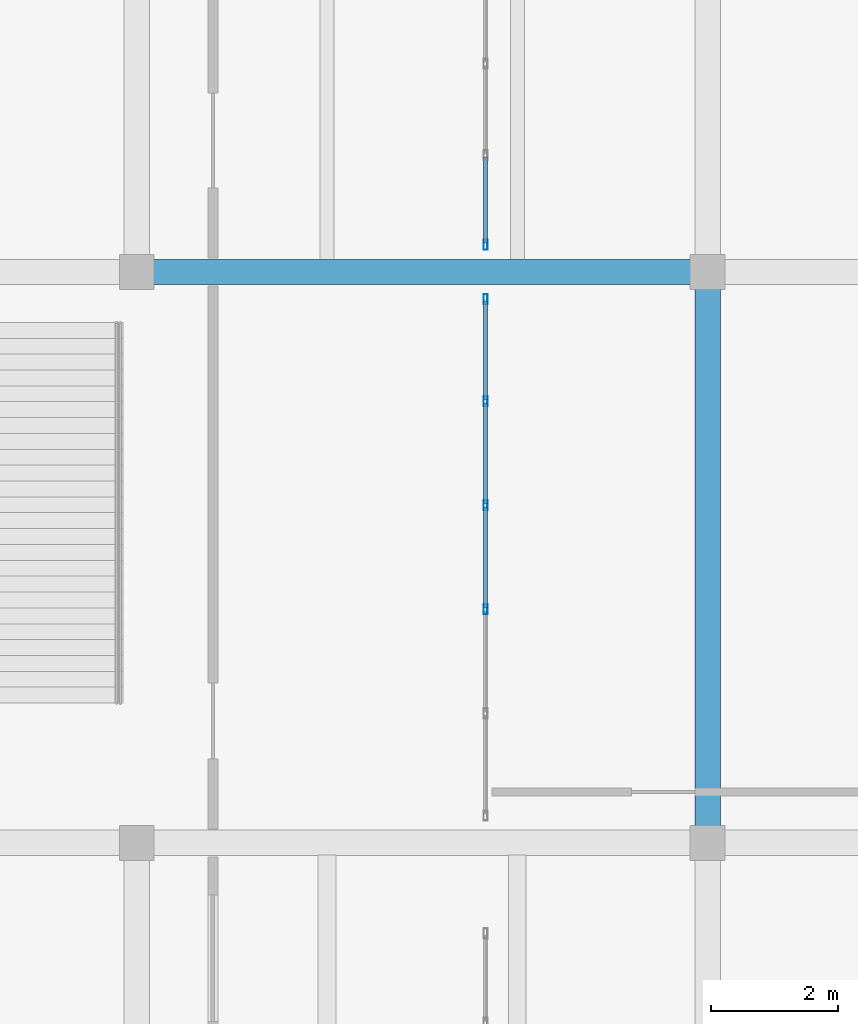
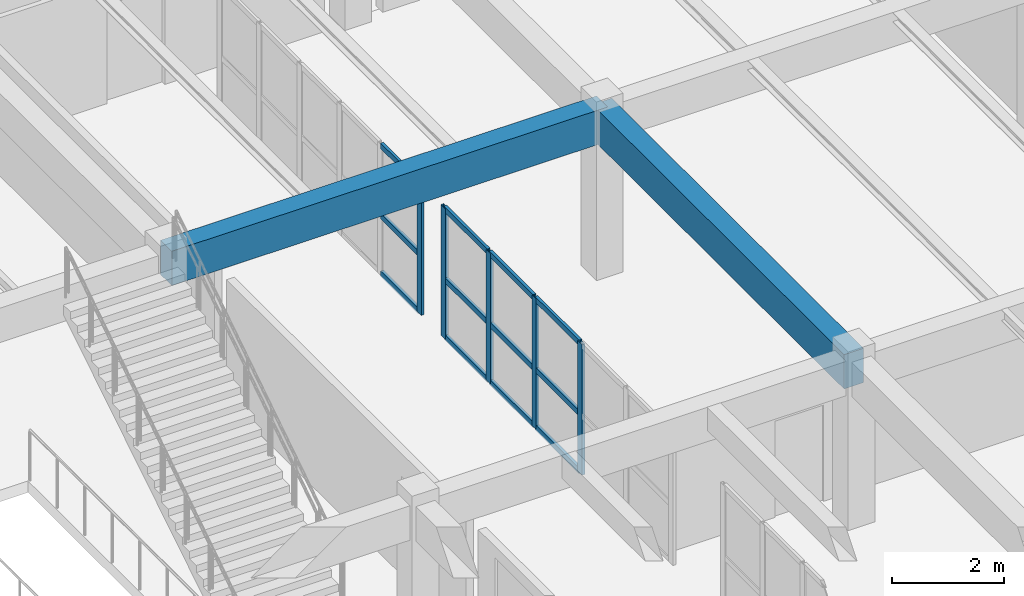
# One storey, part 87 of 156: 17 members, 2 beams, 2 elements without a shape of their own.
"""IFC4 building model written with IfcOpenShell, lengths in metres."""

from ifc_helpers import new_model, si_unit, direction, frame, origin, origin_2d, place, context, subcontext, project, spatial, rectangle, hollow_rectangle, extrude, material, layer, layer_set, material_profile, profile_set, type_object, element, aggregate, save


model = new_model("IFC4")

# Units and contexts
model_context = context("Model", 3, precision=1e-05, world=origin(), true_north=direction((0.0, 1.0)))
body_context = subcontext(model_context, "Body", "Model", "MODEL_VIEW")
ifc_project = project(units=[si_unit("LENGTHUNIT", "METRE"), si_unit("AREAUNIT", "SQUARE_METRE"), si_unit("VOLUMEUNIT", "CUBIC_METRE"), si_unit("PLANEANGLEUNIT", "RADIAN"), si_unit("MASSUNIT", "GRAM", prefix="KILO")], contexts=[model_context])

# Site, building, storey
site_placement = place(None, origin())
site = spatial("IfcSite", under=ifc_project, at=site_placement, CompositionType="ELEMENT")
building_placement = place(site_placement, origin())
building = spatial("IfcBuilding", under=site, at=building_placement, Name="Ornek Quay Market", CompositionType="ELEMENT")
storey_placement = place(building_placement, frame((0.0, 0.0, 4.5)))
storey = spatial("IfcBuildingStorey", under=building, at=storey_placement, Name="L01", CompositionType="ELEMENT", Elevation=4.5)

# Beams
ifc_material_1 = material(Name="Concrete C35/45", Category="concrete")
ifc_material_profile_1 = material_profile(ifc_material_1, rectangle(XDim=0.39990234375, YDim=0.75, at=origin_2d()), Name="RC 400x750", Category="concrete")
ifc_profile_set_1 = profile_set([ifc_material_profile_1], Name="Concrete C35/45")
beam_type = type_object("IfcBeamType", Name="BM-CS-400x750", PredefinedType="BEAM", material=ifc_profile_set_1)
for number, where, z_axis, x_axis, name in (
    (1, (162.0, 56.0, 3.27490234375), (1.0, 0.0, 0.0), (0.0, 1.0, 0.0), "Primary beam B-CS1-041"),
    (2, (171.0, 47.0, 3.27490234375), (0.0, 1.0, 0.0), (-1.0, 0.0, 0.0), "Primary beam B-CS1-052"),
):
    element("IfcBeam", number, at=place(storey_placement, frame(where, z_axis=z_axis, x_axis=x_axis)), inside=storey, type_object=beam_type, Name=name, PredefinedType="BEAM", context=body_context, shape_type="SweptSolid", body=[
        extrude(rectangle(XDim=0.39990234375, YDim=0.75, at=origin_2d()), origin(), (0.0, 0.0, 1.0), 9.0),
    ])

# Curtain wall, members
ifc_material_2 = material(Name="Anodised bronze aluminium and triple low-e glass", Category="aluminium")
ifc_layer = layer(ifc_material_2, 0.139892578125, Name="Anodised bronze aluminium and triple low-e glass", Category="aluminium")
ifc_layer_set = layer_set([ifc_layer], Name="Anodised bronze aluminium and triple low-e glass")
curtain_wall_type = type_object("IfcCurtainWallType", Name="CW-GALLERY-INT", PredefinedType="USERDEFINED", material=ifc_layer_set)
curtain_wall_1_placement = place(storey_placement, origin())
curtain_wall_1 = element("IfcCurtainWall", 3, at=curtain_wall_1_placement, inside=storey, type_object=curtain_wall_type, Name="Curtain wall CW-165", ObjectType="CURTAIN WALL", PredefinedType="USERDEFINED")
ifc_material_3 = material(Name="Anodised aluminium 6063-T6", Category="aluminium")
ifc_material_profile_2 = material_profile(ifc_material_3, hollow_rectangle(XDim=0.06005859375, YDim=0.159912109375, WallThickness=0.00390625, at=origin_2d()), Name="CW-MUL-60x160", Category="aluminium")
ifc_profile_set_2 = profile_set([ifc_material_profile_2], Name="Anodised aluminium 6063-T6")
member_type_1 = type_object("IfcMemberType", Name="CW-MUL-60x160", PredefinedType="MULLION", material=ifc_profile_set_2)
member_1_placement = place(storey_placement, frame((167.5, 50.679931640625, 0.0), z_axis=(0.0, 0.0, 1.0), x_axis=(-1.0, 0.0, 0.0)))
member_1 = element("IfcMember", 4, at=member_1_placement, type_object=member_type_1, Name="CW-165 mullion 3", PredefinedType="MULLION", context=body_context, shape_type="SweptSolid", body=[
    extrude(hollow_rectangle(XDim=0.06005859375, YDim=0.159912109375, WallThickness=0.00390625, at=origin_2d()), origin(), (0.0, 0.0, 1.0), 2.85009765625),
])
member_2_placement = place(storey_placement, frame((167.5, 52.320068359375, 0.0), z_axis=(0.0, 0.0, 1.0), x_axis=(-1.0, 0.0, 0.0)))
member_2 = element("IfcMember", 5, at=member_2_placement, type_object=member_type_1, Name="CW-165 mullion 4", PredefinedType="MULLION", context=body_context, shape_type="SweptSolid", body=[
    extrude(hollow_rectangle(XDim=0.06005859375, YDim=0.159912109375, WallThickness=0.00390625, at=origin_2d()), origin(), (0.0, 0.0, 1.0), 2.85009765625),
])
member_3_placement = place(storey_placement, frame((167.5, 53.9599609375, 0.0), z_axis=(0.0, 0.0, 1.0), x_axis=(-1.0, 0.0, 0.0)))
member_3 = element("IfcMember", 6, at=member_3_placement, type_object=member_type_1, Name="CW-165 mullion 5", PredefinedType="MULLION", context=body_context, shape_type="SweptSolid", body=[
    extrude(hollow_rectangle(XDim=0.06005859375, YDim=0.159912109375, WallThickness=0.00390625, at=origin_2d()), origin(), (0.0, 0.0, 1.0), 2.85009765625),
])
member_4_placement = place(storey_placement, frame((167.5, 55.570068359375, 0.0), z_axis=(0.0, 0.0, 1.0), x_axis=(-1.0, 0.0, 0.0)))
member_4 = element("IfcMember", 7, at=member_4_placement, type_object=member_type_1, Name="CW-165 mullion 6", PredefinedType="MULLION", context=body_context, shape_type="SweptSolid", body=[
    extrude(hollow_rectangle(XDim=0.06005859375, YDim=0.159912109375, WallThickness=0.00390625, at=origin_2d()), origin(), (0.0, 0.0, 1.0), 2.85009765625),
])

# Curtain wall, member
curtain_wall_2_placement = place(storey_placement, origin())
curtain_wall_2 = element("IfcCurtainWall", 8, at=curtain_wall_2_placement, inside=storey, type_object=curtain_wall_type, Name="Curtain wall CW-166", ObjectType="CURTAIN WALL", PredefinedType="USERDEFINED")
member_5_placement = place(storey_placement, frame((167.5, 56.429931640625, 0.0), z_axis=(0.0, 0.0, 1.0), x_axis=(-1.0, 0.0, 0.0)))
member_5 = element("IfcMember", 9, at=member_5_placement, type_object=member_type_1, Name="CW-166 mullion 1", PredefinedType="MULLION", context=body_context, shape_type="SweptSolid", body=[
    extrude(hollow_rectangle(XDim=0.06005859375, YDim=0.159912109375, WallThickness=0.00390625, at=origin_2d()), origin(), (0.0, 0.0, 1.0), 2.85009765625),
])

# Member
ifc_material_profile_3 = material_profile(ifc_material_3, hollow_rectangle(XDim=0.06005859375, YDim=0.1201171875, WallThickness=0.00390625, at=origin_2d()), Name="CW-TRN-60x120", Category="aluminium")
ifc_profile_set_3 = profile_set([ifc_material_profile_3], Name="Anodised aluminium 6063-T6")
member_type_2 = type_object("IfcMemberType", Name="CW-TRN-60x120", PredefinedType="USERDEFINED", material=ifc_profile_set_3)
member_6_placement = place(storey_placement, frame((167.5, 50.7099609375, 0.030029296875), z_axis=(0.0, 1.0, 0.0), x_axis=(-1.0, 0.0, 0.0)))
member_6 = element("IfcMember", 10, at=member_6_placement, type_object=member_type_2, Name="CW-165 transom 3.1", ObjectType="TRANSOM", PredefinedType="USERDEFINED", context=body_context, shape_type="SweptSolid", body=[
    extrude(hollow_rectangle(XDim=0.06005859375, YDim=0.1201171875, WallThickness=0.00390625, at=origin_2d()), origin(), (0.0, 0.0, 1.0), 1.580078125),
])

member_7_placement = place(storey_placement, frame((167.5, 50.7099609375, 1.282470703125), z_axis=(0.0, 1.0, 0.0), x_axis=(-1.0, 0.0, 0.0)))
member_7 = element("IfcMember", 11, at=member_7_placement, type_object=member_type_2, Name="CW-165 transom 3.2", ObjectType="TRANSOM", PredefinedType="USERDEFINED", context=body_context, shape_type="SweptSolid", body=[
    extrude(hollow_rectangle(XDim=0.06005859375, YDim=0.1201171875, WallThickness=0.00390625, at=origin_2d()), origin(), (0.0, 0.0, 1.0), 1.580078125),
])

member_8_placement = place(storey_placement, frame((167.5, 50.7099609375, 2.820068359375), z_axis=(0.0, 1.0, 0.0), x_axis=(-1.0, 0.0, 0.0)))
member_8 = element("IfcMember", 12, at=member_8_placement, type_object=member_type_2, Name="CW-165 transom 3.3", ObjectType="TRANSOM", PredefinedType="USERDEFINED", context=body_context, shape_type="SweptSolid", body=[
    extrude(hollow_rectangle(XDim=0.06005859375, YDim=0.1201171875, WallThickness=0.00390625, at=origin_2d()), origin(), (0.0, 0.0, 1.0), 1.580078125),
])

member_9_placement = place(storey_placement, frame((167.5, 52.35009765625, 0.030029296875), z_axis=(0.0, 1.0, 0.0), x_axis=(-1.0, 0.0, 0.0)))
member_9 = element("IfcMember", 13, at=member_9_placement, type_object=member_type_2, Name="CW-165 transom 4.1", ObjectType="TRANSOM", PredefinedType="USERDEFINED", context=body_context, shape_type="SweptSolid", body=[
    extrude(hollow_rectangle(XDim=0.06005859375, YDim=0.1201171875, WallThickness=0.00390625, at=origin_2d()), origin(), (0.0, 0.0, 1.0), 1.579833984375),
])

member_10_placement = place(storey_placement, frame((167.5, 52.35009765625, 1.282470703125), z_axis=(0.0, 1.0, 0.0), x_axis=(-1.0, 0.0, 0.0)))
member_10 = element("IfcMember", 14, at=member_10_placement, type_object=member_type_2, Name="CW-165 transom 4.2", ObjectType="TRANSOM", PredefinedType="USERDEFINED", context=body_context, shape_type="SweptSolid", body=[
    extrude(hollow_rectangle(XDim=0.06005859375, YDim=0.1201171875, WallThickness=0.00390625, at=origin_2d()), origin(), (0.0, 0.0, 1.0), 1.579833984375),
])

member_11_placement = place(storey_placement, frame((167.5, 52.35009765625, 2.820068359375), z_axis=(0.0, 1.0, 0.0), x_axis=(-1.0, 0.0, 0.0)))
member_11 = element("IfcMember", 15, at=member_11_placement, type_object=member_type_2, Name="CW-165 transom 4.3", ObjectType="TRANSOM", PredefinedType="USERDEFINED", context=body_context, shape_type="SweptSolid", body=[
    extrude(hollow_rectangle(XDim=0.06005859375, YDim=0.1201171875, WallThickness=0.00390625, at=origin_2d()), origin(), (0.0, 0.0, 1.0), 1.579833984375),
])

member_12_placement = place(storey_placement, frame((167.5, 53.989990234375, 0.030029296875), z_axis=(0.0, 1.0, 0.0), x_axis=(-1.0, 0.0, 0.0)))
member_12 = element("IfcMember", 16, at=member_12_placement, type_object=member_type_2, Name="CW-165 transom 5.1", ObjectType="TRANSOM", PredefinedType="USERDEFINED", context=body_context, shape_type="SweptSolid", body=[
    extrude(hollow_rectangle(XDim=0.06005859375, YDim=0.1201171875, WallThickness=0.00390625, at=origin_2d()), origin(), (0.0, 0.0, 1.0), 1.550048828125),
])

member_13_placement = place(storey_placement, frame((167.5, 53.989990234375, 1.282470703125), z_axis=(0.0, 1.0, 0.0), x_axis=(-1.0, 0.0, 0.0)))
member_13 = element("IfcMember", 17, at=member_13_placement, type_object=member_type_2, Name="CW-165 transom 5.2", ObjectType="TRANSOM", PredefinedType="USERDEFINED", context=body_context, shape_type="SweptSolid", body=[
    extrude(hollow_rectangle(XDim=0.06005859375, YDim=0.1201171875, WallThickness=0.00390625, at=origin_2d()), origin(), (0.0, 0.0, 1.0), 1.550048828125),
])

member_14_placement = place(storey_placement, frame((167.5, 53.989990234375, 2.820068359375), z_axis=(0.0, 1.0, 0.0), x_axis=(-1.0, 0.0, 0.0)))
member_14 = element("IfcMember", 18, at=member_14_placement, type_object=member_type_2, Name="CW-165 transom 5.3", ObjectType="TRANSOM", PredefinedType="USERDEFINED", context=body_context, shape_type="SweptSolid", body=[
    extrude(hollow_rectangle(XDim=0.06005859375, YDim=0.1201171875, WallThickness=0.00390625, at=origin_2d()), origin(), (0.0, 0.0, 1.0), 1.550048828125),
])

aggregate(curtain_wall_1, [member_1, member_2, member_3, member_4, member_6, member_7, member_8, member_9, member_10, member_11, member_12, member_13, member_14])

member_15_placement = place(storey_placement, frame((167.5, 56.4599609375, 0.030029296875), z_axis=(0.0, 1.0, 0.0), x_axis=(-1.0, 0.0, 0.0)))
member_15 = element("IfcMember", 19, at=member_15_placement, type_object=member_type_2, Name="CW-166 transom 1.1", ObjectType="TRANSOM", PredefinedType="USERDEFINED", context=body_context, shape_type="SweptSolid", body=[
    extrude(hollow_rectangle(XDim=0.06005859375, YDim=0.1201171875, WallThickness=0.00390625, at=origin_2d()), origin(), (0.0, 0.0, 1.0), 1.35009765625),
])

member_16_placement = place(storey_placement, frame((167.5, 56.4599609375, 1.282470703125), z_axis=(0.0, 1.0, 0.0), x_axis=(-1.0, 0.0, 0.0)))
member_16 = element("IfcMember", 20, at=member_16_placement, type_object=member_type_2, Name="CW-166 transom 1.2", ObjectType="TRANSOM", PredefinedType="USERDEFINED", context=body_context, shape_type="SweptSolid", body=[
    extrude(hollow_rectangle(XDim=0.06005859375, YDim=0.1201171875, WallThickness=0.00390625, at=origin_2d()), origin(), (0.0, 0.0, 1.0), 1.35009765625),
])

member_17_placement = place(storey_placement, frame((167.5, 56.4599609375, 2.820068359375), z_axis=(0.0, 1.0, 0.0), x_axis=(-1.0, 0.0, 0.0)))
member_17 = element("IfcMember", 21, at=member_17_placement, type_object=member_type_2, Name="CW-166 transom 1.3", ObjectType="TRANSOM", PredefinedType="USERDEFINED", context=body_context, shape_type="SweptSolid", body=[
    extrude(hollow_rectangle(XDim=0.06005859375, YDim=0.1201171875, WallThickness=0.00390625, at=origin_2d()), origin(), (0.0, 0.0, 1.0), 1.35009765625),
])

aggregate(curtain_wall_2, [member_5, member_15, member_16, member_17])

save(model, "model.ifc")
